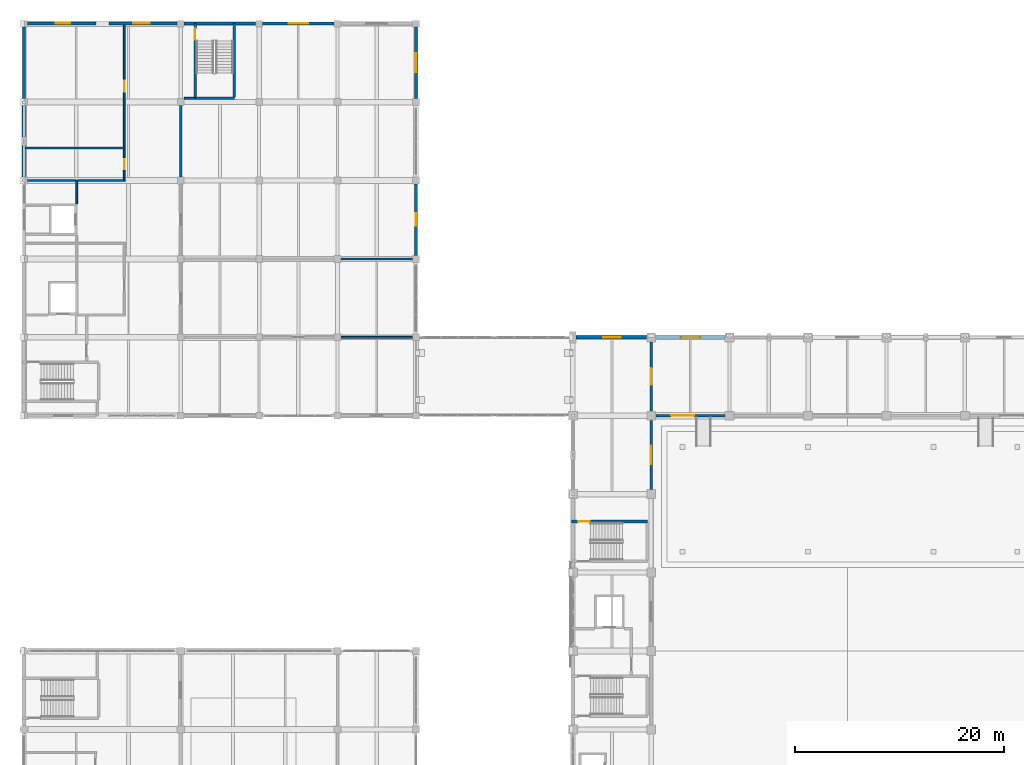
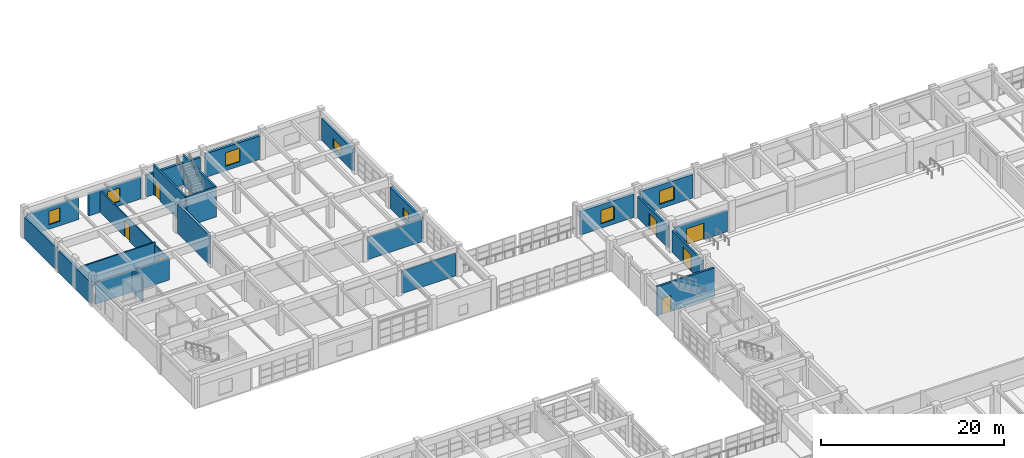
# One storey, part 104 of 132: 27 walls, 7 doors, 7 windows, 14 openings.
"""IFC4 building model written with IfcOpenShell, lengths in metres."""

from ifc_helpers import new_model, si_unit, direction, frame, frame_2d, origin, place, context, subcontext, project, spatial, rectangle, extrude, material, layer, layer_set, type_object, element, fill, save


model = new_model("IFC4")

# Units and contexts
model_context = context("Model", 3, precision=1e-05, world=origin(), true_north=direction((0.0, 1.0)))
body_context = subcontext(model_context, "Body", "Model", "MODEL_VIEW")
ifc_project = project(units=[si_unit("LENGTHUNIT", "METRE"), si_unit("AREAUNIT", "SQUARE_METRE"), si_unit("VOLUMEUNIT", "CUBIC_METRE"), si_unit("PLANEANGLEUNIT", "RADIAN"), si_unit("MASSUNIT", "GRAM", prefix="KILO")], contexts=[model_context])

# Site, building, storey
site_placement = place(None, origin())
site = spatial("IfcSite", under=ifc_project, at=site_placement, CompositionType="ELEMENT")
building_placement = place(site_placement, origin())
building = spatial("IfcBuilding", under=site, at=building_placement, Name="Qasida Concert Hall", CompositionType="ELEMENT")
storey_placement = place(building_placement, frame((0.0, 0.0, 4.800048828125)))
storey = spatial("IfcBuildingStorey", under=building, at=storey_placement, Name="L01", CompositionType="ELEMENT", Elevation=4.800048828125)

# Wall
ifc_material_1 = material(Name="Concrete C40/50", Category="concrete")
ifc_layer_1 = layer(ifc_material_1, 0.25, Name="Concrete C40/50")
ifc_layer_set_1 = layer_set([ifc_layer_1], Name="Concrete C40/50")
wall_type_1 = type_object("IfcWallType", Name="WL-CW-250", PredefinedType="SOLIDWALL", material=ifc_layer_set_1)
wall_1_placement = place(storey_placement, frame((16.3798828125, 105.35498046875, 0.0), z_axis=(0.0, 0.0, 1.0), x_axis=(1.0, 0.0, 0.0)))
element("IfcWall", 1, at=wall_1_placement, inside=storey, type_object=wall_type_1, Name="L01 ST-06 stairwell wall S", PredefinedType="SOLIDWALL", context=body_context, shape_type="SweptSolid", body=[
    extrude(rectangle(XDim=3.740234375, YDim=0.25, at=frame_2d((1.8701171875, 0.0))), origin(), (0.0, 0.0, 1.0), 3.919921875),
])

# Wall, opening, door
wall_2_placement = place(storey_placement, frame((16.375, 105.47998046875, 0.0), z_axis=(0.0, 0.0, 1.0), x_axis=(0.0, 1.0, 0.0)))
wall_2 = element("IfcWall", 2, at=wall_2_placement, inside=storey, type_object=wall_type_1, Name="L01 ST-06 stairwell wall W", PredefinedType="SOLIDWALL", context=body_context, shape_type="SweptSolid", body=[
    extrude(rectangle(XDim=7.02001953125, YDim=0.25, at=frame_2d((3.510009765625, 0.0))), origin(), (0.0, 0.0, 1.0), 3.919921875),
])
opening_1_placement = place(wall_2_placement, frame((5.469970703125, 0.0, 0.0)))
opening_1 = element("IfcOpeningElement", 3, at=opening_1_placement, cuts=wall_2, Name="Opening FD-110", PredefinedType="OPENING", context=body_context, shape_type="SweptSolid", body=[
    extrude(rectangle(XDim=1.10009765625, YDim=2.14990234375, at=frame_2d((0.550048828125, 1.074951171875))), frame((0.0, 0.135009765625, 0.0), z_axis=(0.0, -1.0, 0.0), x_axis=(1.0, 0.0, 0.0)), (0.0, 0.0, 1.0), 0.27001953125),
])
ifc_material_2 = material(Name="Steel fire-rated stair/lobby door set", Category="steel")
door_type_1 = type_object("IfcDoorType", Name="FD-110", OperationType="NOTDEFINED", PredefinedType="DOOR", material=ifc_material_2)
door_1_placement = place(opening_1_placement, origin())
door_1 = element("IfcDoor", 4, at=door_1_placement, inside=storey, type_object=door_type_1, Name="L01 ST-06 rated stair door", OperationType="SINGLE_SWING_RIGHT", OverallHeight=2.14990234375, OverallWidth=1.10009765625, PredefinedType="DOOR", context=body_context, shape_type="SweptSolid", body=[
    extrude(rectangle(XDim=1.10009765625, YDim=2.14990234375, at=frame_2d((0.550048828125, 1.074951171875))), frame((0.0, 0.02490234375, 0.0), z_axis=(0.0, -1.0, 0.0), x_axis=(1.0, 0.0, 0.0)), (0.0, 0.0, 1.0), 0.050048828125),
])
fill(opening_1, door_1)

# Wall
wall_3_placement = place(storey_placement, frame((20.125, 105.47998046875, 0.0), z_axis=(0.0, 0.0, 1.0), x_axis=(0.0, 1.0, 0.0)))
element("IfcWall", 5, at=wall_3_placement, inside=storey, type_object=wall_type_1, Name="L01 ST-06 stairwell wall E", PredefinedType="SOLIDWALL", context=body_context, shape_type="SweptSolid", body=[
    extrude(rectangle(XDim=7.02001953125, YDim=0.25, at=frame_2d((3.510009765625, 0.0))), origin(), (0.0, 0.0, 1.0), 3.919921875),
])

# Wall, opening, door
wall_4_placement = place(storey_placement, frame((52.3798828125, 64.885009765625, 0.0), z_axis=(0.0, 0.0, 1.0), x_axis=(1.0, 0.0, 0.0)))
wall_4 = element("IfcWall", 6, at=wall_4_placement, inside=storey, type_object=wall_type_1, Name="L01 ST-11 stairwell wall N", PredefinedType="SOLIDWALL", context=body_context, shape_type="SweptSolid", body=[
    extrude(rectangle(XDim=7.260009765625, YDim=0.25, at=frame_2d((3.6298828125, 0.0))), origin(), (0.0, 0.0, 1.0), 3.919921875),
])
opening_2_placement = place(wall_4_placement, frame((0.6201171875, 0.0, 0.0)))
opening_2 = element("IfcOpeningElement", 7, at=opening_2_placement, cuts=wall_4, Name="Opening FD-110", PredefinedType="OPENING", context=body_context, shape_type="SweptSolid", body=[
    extrude(rectangle(XDim=1.10009765625, YDim=2.14990234375, at=frame_2d((0.550048828125, 1.074951171875))), frame((0.0, 0.135009765625, 0.0), z_axis=(0.0, -1.0, 0.0), x_axis=(1.0, 0.0, 0.0)), (0.0, 0.0, 1.0), 0.27001953125),
])
door_2_placement = place(opening_2_placement, frame((1.10009765625, 0.0, 0.0), z_axis=(0.0, 0.0, 1.0), x_axis=(-1.0, 0.0, 0.0)))
door_2 = element("IfcDoor", 8, at=door_2_placement, inside=storey, type_object=door_type_1, Name="L01 ST-11 rated stair door", OperationType="SINGLE_SWING_RIGHT", OverallHeight=2.14990234375, OverallWidth=1.10009765625, PredefinedType="DOOR", context=body_context, shape_type="SweptSolid", body=[
    extrude(rectangle(XDim=1.10009765625, YDim=2.14990234375, at=frame_2d((0.550048828125, 1.074951171875))), frame((0.0, 0.02490234375, 0.0), z_axis=(0.0, -1.0, 0.0), x_axis=(1.0, 0.0, 0.0)), (0.0, 0.0, 1.0), 0.050048828125),
])
fill(opening_2, door_2)

# Wall, opening, window
ifc_material_3 = material(Name="Precast concrete C40/50", Category="concrete")
ifc_layer_2 = layer(ifc_material_3, 0.300048828125, Name="Precast concrete C40/50")
ifc_layer_set_2 = layer_set([ifc_layer_2], Name="Precast concrete C40/50")
wall_type_2 = type_object("IfcWallType", Name="WL-EW-300", PredefinedType="SOLIDWALL", material=ifc_layer_set_2)
wall_5_placement = place(storey_placement, frame((0.3349609375, 112.5, 0.0), z_axis=(0.0, 0.0, 1.0), x_axis=(1.0, 0.0, 0.0)))
wall_5 = element("IfcWall", 9, at=wall_5_placement, inside=storey, type_object=wall_type_2, Name="L01 exterior wall EW-300 0244", PredefinedType="SOLIDWALL", context=body_context, shape_type="SweptSolid", body=[
    extrude(rectangle(XDim=6.544921875, YDim=0.300048828125, at=frame_2d((3.2724609375, 0.0))), origin(), (0.0, 0.0, 1.0), 2.889892578125),
])
opening_3_placement = place(wall_5_placement, frame((2.715087890625, 0.0, 0.60009765625)))
opening_3 = element("IfcOpeningElement", 10, at=opening_3_placement, cuts=wall_5, Name="Opening WN-03", PredefinedType="OPENING", context=body_context, shape_type="SweptSolid", body=[
    extrude(rectangle(XDim=1.39990234375, YDim=1.800048828125, at=frame_2d((0.699951171875, 0.89990234375))), frame((0.0, 0.159912109375, 0.0), z_axis=(0.0, -1.0, 0.0), x_axis=(1.0, 0.0, 0.0)), (0.0, 0.0, 1.0), 0.320068359375),
])
ifc_material_4 = material(Name="Bronze-anodized aluminium frame with acoustic low-E glazing", Category="aluminium")
window_type_1 = type_object("IfcWindowType", Name="WN-03", PartitioningType="SINGLE_PANEL", PredefinedType="WINDOW", material=ifc_material_4)
window_1_placement = place(opening_3_placement, origin())
window_1 = element("IfcWindow", 11, at=window_1_placement, inside=storey, type_object=window_type_1, Name="L01 window WN-03 0122", OverallHeight=1.800048828125, OverallWidth=1.39990234375, PartitioningType="SINGLE_PANEL", PredefinedType="WINDOW", context=body_context, shape_type="SweptSolid", body=[
    extrude(rectangle(XDim=1.39990234375, YDim=1.800048828125, at=frame_2d((0.699951171875, 0.89990234375))), frame((0.0, 0.030029296875, 0.0), z_axis=(0.0, -1.0, 0.0), x_axis=(1.0, 0.0, 0.0)), (0.0, 0.0, 1.0), 0.06005859375),
])
fill(opening_3, window_1)

wall_6_placement = place(storey_placement, frame((8.1201171875, 112.5, 0.0), z_axis=(0.0, 0.0, 1.0), x_axis=(1.0, 0.0, 0.0)))
wall_6 = element("IfcWall", 12, at=wall_6_placement, inside=storey, type_object=wall_type_2, Name="L01 exterior wall EW-300 0246", PredefinedType="SOLIDWALL", context=body_context, shape_type="SweptSolid", body=[
    extrude(rectangle(XDim=6.544921875, YDim=0.300048828125, at=frame_2d((3.2724609375, 0.0))), origin(), (0.0, 0.0, 1.0), 2.889892578125),
])
opening_4_placement = place(wall_6_placement, frame((2.35498046875, 0.0, 0.60009765625)))
opening_4 = element("IfcOpeningElement", 13, at=opening_4_placement, cuts=wall_6, Name="Opening WN-04", PredefinedType="OPENING", context=body_context, shape_type="SweptSolid", body=[
    extrude(rectangle(XDim=1.550048828125, YDim=1.800048828125, at=frame_2d((0.77490234375, 0.89990234375))), frame((0.0, 0.159912109375, 0.0), z_axis=(0.0, -1.0, 0.0), x_axis=(1.0, 0.0, 0.0)), (0.0, 0.0, 1.0), 0.320068359375),
])
window_type_2 = type_object("IfcWindowType", Name="WN-04", PartitioningType="SINGLE_PANEL", PredefinedType="WINDOW", material=ifc_material_4)
window_2_placement = place(opening_4_placement, origin())
window_2 = element("IfcWindow", 14, at=window_2_placement, inside=storey, type_object=window_type_2, Name="L01 window WN-04 0124", OverallHeight=1.800048828125, OverallWidth=1.550048828125, PartitioningType="SINGLE_PANEL", PredefinedType="WINDOW", context=body_context, shape_type="SweptSolid", body=[
    extrude(rectangle(XDim=1.550048828125, YDim=1.800048828125, at=frame_2d((0.77490234375, 0.89990234375))), frame((0.0, 0.030029296875, 0.0), z_axis=(0.0, -1.0, 0.0), x_axis=(1.0, 0.0, 0.0)), (0.0, 0.0, 1.0), 0.06005859375),
])
fill(opening_4, window_2)

# Wall
wall_7_placement = place(storey_placement, frame((15.3349609375, 112.5, 0.0), z_axis=(0.0, 0.0, 1.0), x_axis=(1.0, 0.0, 0.0)))
element("IfcWall", 15, at=wall_7_placement, inside=storey, type_object=wall_type_2, Name="L01 exterior wall EW-300 0247", PredefinedType="SOLIDWALL", context=body_context, shape_type="SweptSolid", body=[
    extrude(rectangle(XDim=6.830078125, YDim=0.300048828125, at=frame_2d((3.4150390625, 0.0))), origin(), (0.0, 0.0, 1.0), 2.889892578125),
])

# Wall, opening, window
wall_8_placement = place(storey_placement, frame((22.8349609375, 112.5, 0.0), z_axis=(0.0, 0.0, 1.0), x_axis=(1.0, 0.0, 0.0)))
wall_8 = element("IfcWall", 16, at=wall_8_placement, inside=storey, type_object=wall_type_2, Name="L01 exterior wall EW-300 0249", PredefinedType="SOLIDWALL", context=body_context, shape_type="SweptSolid", body=[
    extrude(rectangle(XDim=6.830078125, YDim=0.300048828125, at=frame_2d((3.4150390625, 0.0))), origin(), (0.0, 0.0, 1.0), 3.139892578125),
])
opening_5_placement = place(wall_8_placement, frame((2.489990234375, 0.0, 0.60009765625)))
opening_5 = element("IfcOpeningElement", 17, at=opening_5_placement, cuts=wall_8, Name="Opening WN-06", PredefinedType="OPENING", context=body_context, shape_type="SweptSolid", body=[
    extrude(rectangle(XDim=1.85009765625, YDim=1.800048828125, at=frame_2d((0.925048828125, 0.89990234375))), frame((0.0, 0.159912109375, 0.0), z_axis=(0.0, -1.0, 0.0), x_axis=(1.0, 0.0, 0.0)), (0.0, 0.0, 1.0), 0.320068359375),
])
window_type_3 = type_object("IfcWindowType", Name="WN-06", PartitioningType="SINGLE_PANEL", PredefinedType="WINDOW", material=ifc_material_4)
window_3_placement = place(opening_5_placement, origin())
window_3 = element("IfcWindow", 18, at=window_3_placement, inside=storey, type_object=window_type_3, Name="L01 window WN-06 0126", OverallHeight=1.800048828125, OverallWidth=1.85009765625, PartitioningType="SINGLE_PANEL", PredefinedType="WINDOW", context=body_context, shape_type="SweptSolid", body=[
    extrude(rectangle(XDim=1.85009765625, YDim=1.800048828125, at=frame_2d((0.925048828125, 0.89990234375))), frame((0.0, 0.030029296875, 0.0), z_axis=(0.0, -1.0, 0.0), x_axis=(1.0, 0.0, 0.0)), (0.0, 0.0, 1.0), 0.06005859375),
])
fill(opening_5, window_3)

wall_9_placement = place(storey_placement, frame((37.5, 90.3349609375, 0.0), z_axis=(0.0, 0.0, 1.0), x_axis=(0.0, 1.0, 0.0)))
wall_9 = element("IfcWall", 19, at=wall_9_placement, inside=storey, type_object=wall_type_2, Name="L01 exterior wall EW-300 0255", PredefinedType="SOLIDWALL", context=body_context, shape_type="SweptSolid", body=[
    extrude(rectangle(XDim=6.830078125, YDim=0.300048828125, at=frame_2d((3.4150390625, 0.0))), origin(), (0.0, 0.0, 1.0), 2.83984375),
])
opening_6_placement = place(wall_9_placement, frame((2.81494140625, 0.0, 0.60009765625)))
opening_6 = element("IfcOpeningElement", 20, at=opening_6_placement, cuts=wall_9, Name="Opening WN-17", PredefinedType="OPENING", context=body_context, shape_type="SweptSolid", body=[
    extrude(rectangle(XDim=1.199951171875, YDim=1.199951171875, at=frame_2d((0.60009765625, 0.60009765625))), frame((0.0, 0.159912109375, 0.0), z_axis=(0.0, -1.0, 0.0), x_axis=(1.0, 0.0, 0.0)), (0.0, 0.0, 1.0), 0.320068359375),
])
window_type_4 = type_object("IfcWindowType", Name="WN-17", PartitioningType="SINGLE_PANEL", PredefinedType="WINDOW", material=ifc_material_4)
window_4_placement = place(opening_6_placement, origin())
window_4 = element("IfcWindow", 21, at=window_4_placement, inside=storey, type_object=window_type_4, Name="L01 window WN-17 0131", OverallHeight=1.199951171875, OverallWidth=1.199951171875, PartitioningType="SINGLE_PANEL", PredefinedType="WINDOW", context=body_context, shape_type="SweptSolid", body=[
    extrude(rectangle(XDim=1.199951171875, YDim=1.199951171875, at=frame_2d((0.60009765625, 0.60009765625))), frame((0.0, 0.030029296875, 0.0), z_axis=(0.0, -1.0, 0.0), x_axis=(1.0, 0.0, 0.0)), (0.0, 0.0, 1.0), 0.06005859375),
])
fill(opening_6, window_4)

# Wall
wall_10_placement = place(storey_placement, frame((0.0, 105.3349609375, 0.0), z_axis=(0.0, 0.0, 1.0), x_axis=(0.0, 1.0, 0.0)))
element("IfcWall", 22, at=wall_10_placement, inside=storey, type_object=wall_type_2, Name="L01 exterior wall EW-300 0257", PredefinedType="SOLIDWALL", context=body_context, shape_type="SweptSolid", body=[
    extrude(rectangle(XDim=6.830078125, YDim=0.300048828125, at=frame_2d((3.4150390625, 0.0))), origin(), (0.0, 0.0, 1.0), 2.889892578125),
])

# Wall, opening, window
wall_11_placement = place(storey_placement, frame((37.5, 105.3349609375, 0.0), z_axis=(0.0, 0.0, 1.0), x_axis=(0.0, 1.0, 0.0)))
wall_11 = element("IfcWall", 23, at=wall_11_placement, inside=storey, type_object=wall_type_2, Name="L01 exterior wall EW-300 0258", PredefinedType="SOLIDWALL", context=body_context, shape_type="SweptSolid", body=[
    extrude(rectangle(XDim=6.830078125, YDim=0.300048828125, at=frame_2d((3.4150390625, 0.0))), origin(), (0.0, 0.0, 1.0), 2.93994140625),
])
opening_7_placement = place(wall_11_placement, frame((2.514892578125, 0.0, 0.60009765625)))
opening_7 = element("IfcOpeningElement", 24, at=opening_7_placement, cuts=wall_11, Name="Opening WN-19", PredefinedType="OPENING", context=body_context, shape_type="SweptSolid", body=[
    extrude(rectangle(XDim=1.800048828125, YDim=1.199951171875, at=frame_2d((0.89990234375, 0.60009765625))), frame((0.0, 0.159912109375, 0.0), z_axis=(0.0, -1.0, 0.0), x_axis=(1.0, 0.0, 0.0)), (0.0, 0.0, 1.0), 0.320068359375),
])
window_type_5 = type_object("IfcWindowType", Name="WN-19", PartitioningType="SINGLE_PANEL", PredefinedType="WINDOW", material=ifc_material_4)
window_5_placement = place(opening_7_placement, origin())
window_5 = element("IfcWindow", 25, at=window_5_placement, inside=storey, type_object=window_type_5, Name="L01 window WN-19 0132", OverallHeight=1.199951171875, OverallWidth=1.800048828125, PartitioningType="SINGLE_PANEL", PredefinedType="WINDOW", context=body_context, shape_type="SweptSolid", body=[
    extrude(rectangle(XDim=1.800048828125, YDim=1.199951171875, at=frame_2d((0.89990234375, 0.60009765625))), frame((0.0, 0.030029296875, 0.0), z_axis=(0.0, -1.0, 0.0), x_axis=(1.0, 0.0, 0.0)), (0.0, 0.0, 1.0), 0.06005859375),
])
fill(opening_7, window_5)

# Wall
ifc_layer_3 = layer(ifc_material_3, 0.320068359375, Name="Precast concrete C40/50")
ifc_layer_set_3 = layer_set([ifc_layer_3], Name="Precast concrete C40/50")
wall_type_3 = type_object("IfcWallType", Name="WL-EW-320", PredefinedType="SOLIDWALL", material=ifc_layer_set_3)
wall_12_placement = place(storey_placement, frame((0.0, 97.8349609375, 0.0), z_axis=(0.0, 0.0, 1.0), x_axis=(0.0, 1.0, 0.0)))
element("IfcWall", 26, at=wall_12_placement, inside=storey, type_object=wall_type_3, Name="L01 exterior wall EW-320 0256", PredefinedType="SOLIDWALL", context=body_context, shape_type="SweptSolid", body=[
    extrude(rectangle(XDim=6.830078125, YDim=0.320068359375, at=frame_2d((3.4150390625, 0.0))), origin(), (0.0, 0.0, 1.0), 2.889892578125),
])

# Wall, opening, window
ifc_layer_4 = layer(ifc_material_3, 0.340087890625, Name="Precast concrete C40/50")
ifc_layer_set_4 = layer_set([ifc_layer_4], Name="Precast concrete C40/50")
wall_type_4 = type_object("IfcWallType", Name="WL-EW-340", PredefinedType="SOLIDWALL", material=ifc_layer_set_4)
wall_13_placement = place(storey_placement, frame((52.81494140625, 82.5, 0.0), z_axis=(0.0, 0.0, 1.0), x_axis=(1.0, 0.0, 0.0)))
wall_13 = element("IfcWall", 27, at=wall_13_placement, inside=storey, type_object=wall_type_4, Name="L01 exterior wall EW-340 0039", PredefinedType="SOLIDWALL", context=body_context, shape_type="SweptSolid", body=[
    extrude(rectangle(XDim=6.75, YDim=0.340087890625, at=frame_2d((3.375, 0.0))), origin(), (0.0, 0.0, 1.0), 3.139892578125),
])
opening_8_placement = place(wall_13_placement, frame((2.5849609375, 0.0, 0.60009765625)))
opening_8 = element("IfcOpeningElement", 28, at=opening_8_placement, cuts=wall_13, Name="Opening WN-05", PredefinedType="OPENING", context=body_context, shape_type="SweptSolid", body=[
    extrude(rectangle(XDim=1.699951171875, YDim=1.800048828125, at=frame_2d((0.85009765625, 0.89990234375))), frame((0.0, 0.179931640625, 0.0), z_axis=(0.0, -1.0, 0.0), x_axis=(1.0, 0.0, 0.0)), (0.0, 0.0, 1.0), 0.360107421875),
])
window_type_6 = type_object("IfcWindowType", Name="WN-05", PartitioningType="SINGLE_PANEL", PredefinedType="WINDOW", material=ifc_material_4)
window_6_placement = place(opening_8_placement, origin())
window_6 = element("IfcWindow", 29, at=window_6_placement, inside=storey, type_object=window_type_6, Name="L01 window WN-05 0010", OverallHeight=1.800048828125, OverallWidth=1.699951171875, PartitioningType="SINGLE_PANEL", PredefinedType="WINDOW", context=body_context, shape_type="SweptSolid", body=[
    extrude(rectangle(XDim=1.699951171875, YDim=1.800048828125, at=frame_2d((0.85009765625, 0.89990234375))), frame((0.0, 0.030029296875, 0.0), z_axis=(0.0, -1.0, 0.0), x_axis=(1.0, 0.0, 0.0)), (0.0, 0.0, 1.0), 0.06005859375),
])
fill(opening_8, window_6)

wall_14_placement = place(storey_placement, frame((60.43505859375, 82.5, 0.0), z_axis=(0.0, 0.0, 1.0), x_axis=(1.0, 0.0, 0.0)))
wall_14 = element("IfcWall", 30, at=wall_14_placement, inside=storey, type_object=wall_type_4, Name="L01 exterior wall EW-340 0040", PredefinedType="SOLIDWALL", context=body_context, shape_type="SweptSolid", body=[
    extrude(rectangle(XDim=6.6298828125, YDim=0.340087890625, at=frame_2d((3.31494140625, 0.0))), origin(), (0.0, 0.0, 1.0), 3.139892578125),
])
opening_9_placement = place(wall_14_placement, frame((2.389892578125, 0.0, 0.60009765625)))
opening_9 = element("IfcOpeningElement", 31, at=opening_9_placement, cuts=wall_14, Name="Opening WN-06", PredefinedType="OPENING", context=body_context, shape_type="SweptSolid", body=[
    extrude(rectangle(XDim=1.85009765625, YDim=1.800048828125, at=frame_2d((0.925048828125, 0.89990234375))), frame((0.0, 0.179931640625, 0.0), z_axis=(0.0, -1.0, 0.0), x_axis=(1.0, 0.0, 0.0)), (0.0, 0.0, 1.0), 0.360107421875),
])
window_7_placement = place(opening_9_placement, origin())
window_7 = element("IfcWindow", 32, at=window_7_placement, inside=storey, type_object=window_type_3, Name="L01 window WN-06 0011", OverallHeight=1.800048828125, OverallWidth=1.85009765625, PartitioningType="SINGLE_PANEL", PredefinedType="WINDOW", context=body_context, shape_type="SweptSolid", body=[
    extrude(rectangle(XDim=1.85009765625, YDim=1.800048828125, at=frame_2d((0.925048828125, 0.89990234375))), frame((0.0, 0.030029296875, 0.0), z_axis=(0.0, -1.0, 0.0), x_axis=(1.0, 0.0, 0.0)), (0.0, 0.0, 1.0), 0.06005859375),
])
fill(opening_9, window_7)

# Walls
ifc_material_5 = material(Name="Moisture-resistant gypsum partition", Category="gypsum")
ifc_layer_5 = layer(ifc_material_5, 0.159912109375, Name="Moisture-resistant gypsum partition")
ifc_layer_set_5 = layer_set([ifc_layer_5], Name="Moisture-resistant gypsum partition")
wall_type_5 = type_object("IfcWallType", Name="WL-PW-160", PredefinedType="PARTITIONING", material=ifc_layer_set_5)
wall_15_placement = place(storey_placement, frame((0.339111328125, 97.5, 0.0), z_axis=(0.0, 0.0, 1.0), x_axis=(1.0, 0.0, 0.0)))
element("IfcWall", 33, at=wall_15_placement, inside=storey, type_object=wall_type_5, Name="L01 partition PW-160 0288", PredefinedType="PARTITIONING", context=body_context, shape_type="SweptSolid", body=[
    extrude(rectangle(XDim=4.60693359375, YDim=0.159912109375, at=frame_2d((2.303466796875, 0.0))), origin(), (0.0, 0.0, 1.0), 2.889892578125),
])
wall_16_placement = place(storey_placement, frame((5.154052734375, 97.5, 0.0), z_axis=(0.0, 0.0, 1.0), x_axis=(1.0, 0.0, 0.0)))
element("IfcWall", 34, at=wall_16_placement, inside=storey, type_object=wall_type_5, Name="L01 partition PW-160 0289", PredefinedType="PARTITIONING", context=body_context, shape_type="SweptSolid", body=[
    extrude(rectangle(XDim=4.52587890625, YDim=0.159912109375, at=frame_2d((2.262939453125, 0.0))), origin(), (0.0, 0.0, 1.0), 2.889892578125),
])
wall_17_placement = place(storey_placement, frame((0.174072265625, 100.60009765625, 0.0), z_axis=(0.0, 0.0, 1.0), x_axis=(1.0, 0.0, 0.0)))
element("IfcWall", 35, at=wall_17_placement, inside=storey, type_object=wall_type_5, Name="L01 partition PW-160 0290", PredefinedType="PARTITIONING", context=body_context, shape_type="SweptSolid", body=[
    extrude(rectangle(XDim=9.505859375, YDim=0.159912109375, at=frame_2d((4.7529296875, 0.0))), origin(), (0.0, 0.0, 1.0), 3.139892578125),
])

# Wall, opening, door
wall_18_placement = place(storey_placement, frame((9.60009765625, 97.593994140625, 0.0), z_axis=(0.0, 0.0, 1.0), x_axis=(0.0, 1.0, 0.0)))
wall_18 = element("IfcWall", 36, at=wall_18_placement, inside=storey, type_object=wall_type_5, Name="L01 partition PW-160 0291", PredefinedType="PARTITIONING", context=body_context, shape_type="SweptSolid", body=[
    extrude(rectangle(XDim=2.912109375, YDim=0.159912109375, at=frame_2d((1.4560546875, 0.0))), origin(), (0.0, 0.0, 1.0), 2.889892578125),
])
opening_10_placement = place(wall_18_placement, frame((0.98095703125, 0.0, 0.0)))
opening_10 = element("IfcOpeningElement", 37, at=opening_10_placement, cuts=wall_18, Name="Opening ID-095", PredefinedType="OPENING", context=body_context, shape_type="SweptSolid", body=[
    extrude(rectangle(XDim=0.949951171875, YDim=2.10009765625, at=frame_2d((0.47509765625, 1.050048828125))), frame((0.0, 0.08984375, 0.0), z_axis=(0.0, -1.0, 0.0), x_axis=(1.0, 0.0, 0.0)), (0.0, 0.0, 1.0), 0.179931640625),
])
ifc_material_6 = material(Name="Quarter-sawn oak accessible WC door", Category="wood")
door_type_2 = type_object("IfcDoorType", Name="ID-095", OperationType="NOTDEFINED", PredefinedType="DOOR", material=ifc_material_6)
door_3_placement = place(opening_10_placement, origin())
door_3 = element("IfcDoor", 38, at=door_3_placement, inside=storey, type_object=door_type_2, Name="L01 Conservatory accessible WC door", OperationType="SINGLE_SWING_RIGHT", OverallHeight=2.10009765625, OverallWidth=0.949951171875, PredefinedType="DOOR", context=body_context, shape_type="SweptSolid", body=[
    extrude(rectangle(XDim=0.949951171875, YDim=2.10009765625, at=frame_2d((0.47509765625, 1.050048828125))), frame((0.0, 0.02490234375, 0.0), z_axis=(0.0, -1.0, 0.0), x_axis=(1.0, 0.0, 0.0)), (0.0, 0.0, 1.0), 0.050048828125),
])
fill(opening_10, door_3)

wall_19_placement = place(storey_placement, frame((9.60009765625, 100.694091796875, 0.0), z_axis=(0.0, 0.0, 1.0), x_axis=(0.0, 1.0, 0.0)))
wall_19 = element("IfcWall", 39, at=wall_19_placement, inside=storey, type_object=wall_type_5, Name="L01 partition PW-160 0292", PredefinedType="PARTITIONING", context=body_context, shape_type="SweptSolid", body=[
    extrude(rectangle(XDim=11.641845703125, YDim=0.159912109375, at=frame_2d((5.82080078125, 0.0))), origin(), (0.0, 0.0, 1.0), 2.889892578125),
])
opening_11_placement = place(wall_19_placement, frame((5.281005859375, 0.0, 0.0)))
opening_11 = element("IfcOpeningElement", 40, at=opening_11_placement, cuts=wall_19, Name="Opening ID-105", PredefinedType="OPENING", context=body_context, shape_type="SweptSolid", body=[
    extrude(rectangle(XDim=1.050048828125, YDim=2.1201171875, at=frame_2d((0.52490234375, 1.06005859375))), frame((0.0, 0.08984375, 0.0), z_axis=(0.0, -1.0, 0.0), x_axis=(1.0, 0.0, 0.0)), (0.0, 0.0, 1.0), 0.179931640625),
])
ifc_material_7 = material(Name="Quarter-sawn oak practice studio door", Category="wood")
door_type_3 = type_object("IfcDoorType", Name="ID-105", OperationType="NOTDEFINED", PredefinedType="DOOR", material=ifc_material_7)
door_4_placement = place(opening_11_placement, origin())
door_4 = element("IfcDoor", 41, at=door_4_placement, inside=storey, type_object=door_type_3, Name="L01 Ensemble warmup room door", OperationType="SINGLE_SWING_LEFT", OverallHeight=2.1201171875, OverallWidth=1.050048828125, PredefinedType="DOOR", context=body_context, shape_type="SweptSolid", body=[
    extrude(rectangle(XDim=1.050048828125, YDim=2.1201171875, at=frame_2d((0.52490234375, 1.06005859375))), frame((0.0, 0.02490234375, 0.0), z_axis=(0.0, -1.0, 0.0), x_axis=(1.0, 0.0, 0.0)), (0.0, 0.0, 1.0), 0.050048828125),
])
fill(opening_11, door_4)

# Walls
ifc_material_8 = material(Name="Acoustic metal-stud gypsum partition", Category="gypsum")
ifc_layer_6 = layer(ifc_material_8, 0.179931640625, Name="Acoustic metal-stud gypsum partition")
ifc_layer_set_6 = layer_set([ifc_layer_6], Name="Acoustic metal-stud gypsum partition")
wall_type_6 = type_object("IfcWallType", Name="WL-PW-180", PredefinedType="PARTITIONING", material=ifc_layer_set_6)
wall_20_placement = place(storey_placement, frame((5.050048828125, 95.27392578125, 0.0), z_axis=(0.0, 0.0, 1.0), x_axis=(0.0, 1.0, 0.0)))
element("IfcWall", 42, at=wall_20_placement, inside=storey, type_object=wall_type_6, Name="L01 partition PW-180 0287", PredefinedType="PARTITIONING", context=body_context, shape_type="SweptSolid", body=[
    extrude(rectangle(XDim=2.22607421875, YDim=0.179931640625, at=frame_2d((1.113037109375, 0.0))), origin(), (0.0, 0.0, 1.0), 2.889892578125),
])
wall_21_placement = place(storey_placement, frame((15.339111328125, 105.35009765625, 0.0), z_axis=(0.0, 0.0, 1.0), x_axis=(1.0, 0.0, 0.0)))
element("IfcWall", 43, at=wall_21_placement, inside=storey, type_object=wall_type_6, Name="L01 partition PW-180 0293", PredefinedType="PARTITIONING", context=body_context, shape_type="SweptSolid", body=[
    extrude(rectangle(XDim=1.040771484375, YDim=0.179931640625, at=frame_2d((0.5205078125, 0.0))), origin(), (0.0, 0.0, 1.0), 2.889892578125),
])
wall_22_placement = place(storey_placement, frame((30.339111328125, 82.5, 0.0), z_axis=(0.0, 0.0, 1.0), x_axis=(1.0, 0.0, 0.0)))
element("IfcWall", 44, at=wall_22_placement, inside=storey, type_object=wall_type_6, Name="L01 partition PW-180 0296", PredefinedType="PARTITIONING", context=body_context, shape_type="SweptSolid", body=[
    extrude(rectangle(XDim=6.82177734375, YDim=0.179931640625, at=frame_2d((3.410888671875, 0.0))), origin(), (0.0, 0.0, 1.0), 3.0400390625),
])
ifc_material_9 = material(Name="Acoustic gypsum block and mineral wool", Category="gypsum")
ifc_layer_7 = layer(ifc_material_9, 0.199951171875, Name="Acoustic gypsum block and mineral wool")
ifc_layer_set_7 = layer_set([ifc_layer_7], Name="Acoustic gypsum block and mineral wool")
wall_type_7 = type_object("IfcWallType", Name="WL-PW-200", PredefinedType="PARTITIONING", material=ifc_layer_set_7)
wall_23_placement = place(storey_placement, frame((30.339111328125, 90.0, 0.0), z_axis=(0.0, 0.0, 1.0), x_axis=(1.0, 0.0, 0.0)))
element("IfcWall", 45, at=wall_23_placement, inside=storey, type_object=wall_type_7, Name="L01 partition PW-200 0299", PredefinedType="PARTITIONING", context=body_context, shape_type="SweptSolid", body=[
    extrude(rectangle(XDim=6.82177734375, YDim=0.199951171875, at=frame_2d((3.410888671875, 0.0))), origin(), (0.0, 0.0, 1.0), 2.989990234375),
])

# Wall, opening, door
ifc_material_10 = material(Name="Double-stud acoustic gypsum and mineral wool", Category="gypsum")
ifc_layer_8 = layer(ifc_material_10, 0.239990234375, Name="Double-stud acoustic gypsum and mineral wool")
ifc_layer_set_8 = layer_set([ifc_layer_8], Name="Double-stud acoustic gypsum and mineral wool")
wall_type_8 = type_object("IfcWallType", Name="WL-PW-240", PredefinedType="PARTITIONING", material=ifc_layer_set_8)
wall_24_placement = place(storey_placement, frame((60.43896484375, 75.0, 0.0), z_axis=(0.0, 0.0, 1.0), x_axis=(1.0, 0.0, 0.0)))
wall_24 = element("IfcWall", 46, at=wall_24_placement, inside=storey, type_object=wall_type_8, Name="L01 partition PW-240 0440", PredefinedType="PARTITIONING", context=body_context, shape_type="SweptSolid", body=[
    extrude(rectangle(XDim=6.6220703125, YDim=0.239990234375, at=frame_2d((3.31103515625, 0.0))), origin(), (0.0, 0.0, 1.0), 2.83984375),
])
opening_12_placement = place(wall_24_placement, frame((1.4609375, 0.0, 0.0)))
opening_12 = element("IfcOpeningElement", 47, at=opening_12_placement, cuts=wall_24, Name="Opening AD-220", PredefinedType="OPENING", context=body_context, shape_type="SweptSolid", body=[
    extrude(rectangle(XDim=2.199951171875, YDim=2.179931640625, at=frame_2d((1.10009765625, 1.08984375))), frame((0.0, 0.1298828125, 0.0), z_axis=(0.0, -1.0, 0.0), x_axis=(1.0, 0.0, 0.0)), (0.0, 0.0, 1.0), 0.260009765625),
])
ifc_material_11 = material(Name="Stage piano crossover double acoustic door", Category="wood")
door_type_4 = type_object("IfcDoorType", Name="AD-220", OperationType="NOTDEFINED", PredefinedType="DOOR", material=ifc_material_11)
door_5_placement = place(opening_12_placement, origin())
door_5 = element("IfcDoor", 48, at=door_5_placement, inside=storey, type_object=door_type_4, Name="L01 Stage piano west crossover door", OperationType="SINGLE_SWING_RIGHT", OverallHeight=2.179931640625, OverallWidth=2.199951171875, PredefinedType="DOOR", context=body_context, shape_type="SweptSolid", body=[
    extrude(rectangle(XDim=2.199951171875, YDim=2.179931640625, at=frame_2d((1.10009765625, 1.08984375))), frame((0.0, 0.02490234375, 0.0), z_axis=(0.0, -1.0, 0.0), x_axis=(1.0, 0.0, 0.0)), (0.0, 0.0, 1.0), 0.050048828125),
])
fill(opening_12, door_5)

wall_25_placement = place(storey_placement, frame((60.0, 67.93896484375, 0.0), z_axis=(0.0, 0.0, 1.0), x_axis=(0.0, 1.0, 0.0)))
wall_25 = element("IfcWall", 49, at=wall_25_placement, inside=storey, type_object=wall_type_8, Name="L01 partition PW-240 0453", PredefinedType="PARTITIONING", context=body_context, shape_type="SweptSolid", body=[
    extrude(rectangle(XDim=6.6220703125, YDim=0.239990234375, at=frame_2d((3.31103515625, 0.0))), origin(), (0.0, 0.0, 1.0), 2.83984375),
])
opening_13_placement = place(wall_25_placement, frame((2.410888671875, 0.0, 0.0)))
opening_13 = element("IfcOpeningElement", 50, at=opening_13_placement, cuts=wall_25, Name="Opening AD-180", PredefinedType="OPENING", context=body_context, shape_type="SweptSolid", body=[
    extrude(rectangle(XDim=1.800048828125, YDim=2.159912109375, at=frame_2d((0.89990234375, 1.080078125))), frame((0.0, 0.1298828125, 0.0), z_axis=(0.0, -1.0, 0.0), x_axis=(1.0, 0.0, 0.0)), (0.0, 0.0, 1.0), 0.260009765625),
])
ifc_material_12 = material(Name="Double-seal Rw 52 dB auditorium vomitory door", Category="wood")
door_type_5 = type_object("IfcDoorType", Name="AD-180", OperationType="NOTDEFINED", PredefinedType="DOOR", material=ifc_material_12)
door_6_placement = place(opening_13_placement, origin())
door_6 = element("IfcDoor", 51, at=door_6_placement, inside=storey, type_object=door_type_5, Name="L01 Concert stage west door", OperationType="SINGLE_SWING_LEFT", OverallHeight=2.159912109375, OverallWidth=1.800048828125, PredefinedType="DOOR", context=body_context, shape_type="SweptSolid", body=[
    extrude(rectangle(XDim=1.800048828125, YDim=2.159912109375, at=frame_2d((0.89990234375, 1.080078125))), frame((0.0, 0.02490234375, 0.0), z_axis=(0.0, -1.0, 0.0), x_axis=(1.0, 0.0, 0.0)), (0.0, 0.0, 1.0), 0.050048828125),
])
fill(opening_13, door_6)

wall_26_placement = place(storey_placement, frame((60.0, 75.43896484375, 0.0), z_axis=(0.0, 0.0, 1.0), x_axis=(0.0, 1.0, 0.0)))
wall_26 = element("IfcWall", 52, at=wall_26_placement, inside=storey, type_object=wall_type_8, Name="L01 partition PW-240 0454", PredefinedType="PARTITIONING", context=body_context, shape_type="SweptSolid", body=[
    extrude(rectangle(XDim=6.6220703125, YDim=0.239990234375, at=frame_2d((3.31103515625, 0.0))), origin(), (0.0, 0.0, 1.0), 2.83984375),
])
opening_14_placement = place(wall_26_placement, frame((2.510986328125, 0.0, 0.0)))
opening_14 = element("IfcOpeningElement", 53, at=opening_14_placement, cuts=wall_26, Name="Opening FD-160", PredefinedType="OPENING", context=body_context, shape_type="SweptSolid", body=[
    extrude(rectangle(XDim=1.60009765625, YDim=2.14990234375, at=frame_2d((0.800048828125, 1.074951171875))), frame((0.0, 0.1298828125, 0.0), z_axis=(0.0, -1.0, 0.0), x_axis=(1.0, 0.0, 0.0)), (0.0, 0.0, 1.0), 0.260009765625),
])
ifc_material_13 = material(Name="Double-leaf acoustic fire door", Category="steel")
door_type_6 = type_object("IfcDoorType", Name="FD-160", OperationType="NOTDEFINED", PredefinedType="DOOR", material=ifc_material_13)
door_7_placement = place(opening_14_placement, origin())
door_7 = element("IfcDoor", 54, at=door_7_placement, inside=storey, type_object=door_type_6, Name="L01 Backstage organ room west door", OperationType="SINGLE_SWING_RIGHT", OverallHeight=2.14990234375, OverallWidth=1.60009765625, PredefinedType="DOOR", context=body_context, shape_type="SweptSolid", body=[
    extrude(rectangle(XDim=1.60009765625, YDim=2.14990234375, at=frame_2d((0.800048828125, 1.074951171875))), frame((0.0, 0.02490234375, 0.0), z_axis=(0.0, -1.0, 0.0), x_axis=(1.0, 0.0, 0.0)), (0.0, 0.0, 1.0), 0.050048828125),
])
fill(opening_14, door_7)

# Wall
ifc_layer_9 = layer(ifc_material_1, 0.280029296875, Name="Concrete C40/50")
ifc_layer_set_9 = layer_set([ifc_layer_9], Name="Concrete C40/50")
wall_type_9 = type_object("IfcWallType", Name="WL-SW-280", PredefinedType="SHEAR", material=ifc_layer_set_9)
wall_27_placement = place(storey_placement, frame((15.0, 97.824951171875, 0.0), z_axis=(0.0, 0.0, 1.0), x_axis=(0.0, 1.0, 0.0)))
element("IfcWall", 55, at=wall_27_placement, inside=storey, type_object=wall_type_9, Name="L01 V5 conservatory shear wall 0021", PredefinedType="SHEAR", context=body_context, shape_type="SweptSolid", body=[
    extrude(rectangle(XDim=6.85009765625, YDim=0.280029296875, at=frame_2d((3.425048828125, 0.0))), origin(), (0.0, 0.0, 1.0), 3.89990234375),
])

save(model, "model.ifc")
